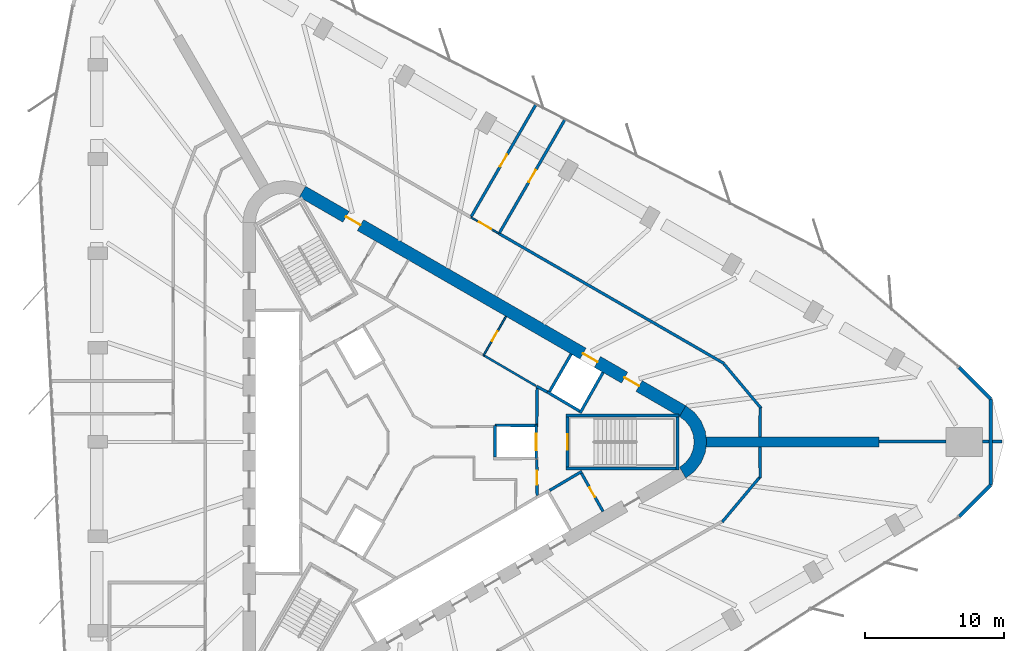
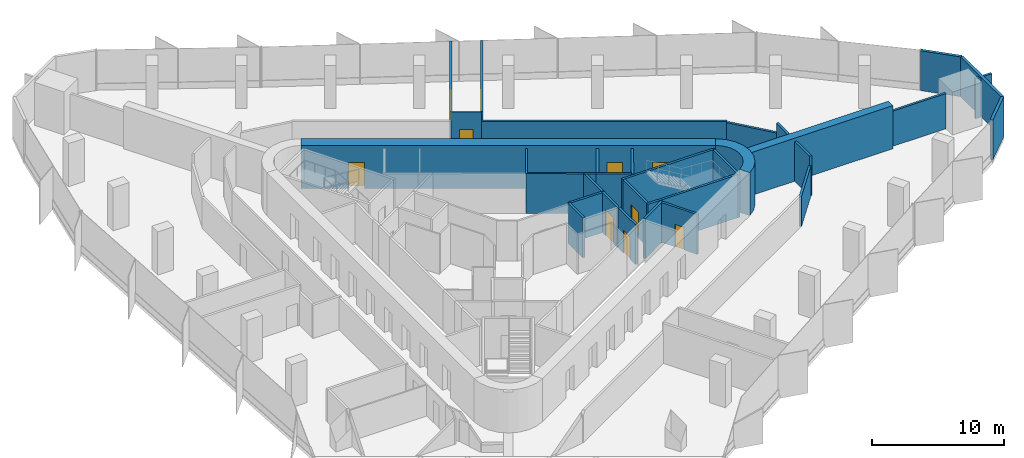
# One storey, part 11 of 13: 34 walls, 11 doors, 11 openings.
"""IFC4 building model written with IfcOpenShell, lengths in metres."""

from ifc_helpers import new_model, si_unit, direction, frame, frame_2d, origin, place, context, subcontext, project, spatial, polyline, rectangle, outline, extrude, material, layer, layer_set, type_object, element, fill, save


model = new_model("IFC4")

# Units and contexts
model_context = context("Model", 3, precision=1e-05, world=origin(), true_north=direction((0.0, 1.0)))
body_context = subcontext(model_context, "Body", "Model", "MODEL_VIEW")
ifc_project = project(units=[si_unit("LENGTHUNIT", "METRE"), si_unit("AREAUNIT", "SQUARE_METRE"), si_unit("VOLUMEUNIT", "CUBIC_METRE"), si_unit("PLANEANGLEUNIT", "RADIAN"), si_unit("MASSUNIT", "GRAM", prefix="KILO")], contexts=[model_context])

# Site, building, storey
site_placement = place(None, origin())
site = spatial("IfcSite", under=ifc_project, at=site_placement, CompositionType="ELEMENT")
building_placement = place(site_placement, origin())
building = spatial("IfcBuilding", under=site, at=building_placement, Name="Tanit Gate Tower", CompositionType="ELEMENT")
storey_placement = place(building_placement, frame((0.0, 0.0, 169.199951171875)))
storey = spatial("IfcBuildingStorey", under=building, at=storey_placement, Name="L36", CompositionType="ELEMENT", Elevation=169.199951171875)

# Wall
ifc_material_1 = material(Name="Concrete C50/60", Category="concrete")
ifc_layer_1 = layer(ifc_material_1, 0.699951171875)
ifc_layer_set_1 = layer_set([ifc_layer_1], Name="BUTTRESS FIN 700 C50/60")
wall_type_1 = type_object("IfcWallType", Name="BUTTRESS FIN 700 C50/60", PredefinedType="SHEAR", material=ifc_layer_set_1)
wall_1_placement = place(storey_placement, frame((21.14990234375, 0.0, 0.0), z_axis=(0.0, 0.0, 1.0), x_axis=(1.0, 0.0, 0.0)))
element("IfcWall", 1, at=wall_1_placement, inside=storey, type_object=wall_type_1, Name="BUTTRESS FIN", PredefinedType="SHEAR", context=body_context, shape_type="SweptSolid", body=[
    extrude(rectangle(XDim=12.4326171875, YDim=0.699951171875, at=frame_2d((6.21630859375, 0.0))), origin(), (0.0, 0.0, 1.0), 4.0),
])

# Wall, openings, doors
ifc_material_2 = material(Name="Concrete C50/60", Category="concrete")
ifc_layer_2 = layer(ifc_material_2, 0.89990234375)
ifc_layer_set_2 = layer_set([ifc_layer_2], Name="CORE WALL 900 C50/60")
wall_type_2 = type_object("IfcWallType", Name="CORE WALL 900 C50/60", PredefinedType="SHEAR", material=ifc_layer_set_2)
wall_2_placement = place(storey_placement, frame((19.47509765625, 2.20849609375, 0.0), z_axis=(0.0, 0.0, 1.0), x_axis=(-0.866028369851, 0.499994862586, 0.0)))
wall_2 = element("IfcWall", 2, at=wall_2_placement, inside=storey, type_object=wall_type_2, Name="CORE WALL", PredefinedType="SHEAR", context=body_context, shape_type="SweptSolid", body=[
    extrude(rectangle(XDim=31.523193359375, YDim=0.89990234375, at=frame_2d((15.76171875, 0.0))), origin(), (0.0, 0.0, 1.0), 4.0),
])
opening_1_placement = place(wall_2_placement, frame((7.0615234375, 0.0, 0.0)))
opening_1 = element("IfcOpeningElement", 3, at=opening_1_placement, cuts=wall_2, Name="Opening LDML8-S09", PredefinedType="OPENING", context=body_context, shape_type="SweptSolid", body=[
    extrude(rectangle(XDim=1.199951171875, YDim=2.39990234375, at=frame_2d((0.60009765625, 1.199951171875))), frame((0.0, 0.4599609375, 0.0), z_axis=(0.0, -1.0, 0.0), x_axis=(1.0, 0.0, 0.0)), (0.0, 0.0, 1.0), 0.919921875),
])
opening_2_placement = place(wall_2_placement, frame((3.611572265625, 0.0, 0.0)))
opening_2 = element("IfcOpeningElement", 4, at=opening_2_placement, cuts=wall_2, Name="Opening F12-S09-FL1", PredefinedType="OPENING", context=body_context, shape_type="SweptSolid", body=[
    extrude(rectangle(XDim=1.199951171875, YDim=2.39990234375, at=frame_2d((0.60009765625, 1.199951171875))), frame((0.0, 0.4599609375, 0.0), z_axis=(0.0, -1.0, 0.0), x_axis=(1.0, 0.0, 0.0)), (0.0, 0.0, 1.0), 0.919921875),
])
opening_3_placement = place(wall_2_placement, frame((26.711669921875, 0.0, 0.0)))
opening_3 = element("IfcOpeningElement", 5, at=opening_3_placement, cuts=wall_2, Name="Opening F12-S09-S2", PredefinedType="OPENING", context=body_context, shape_type="SweptSolid", body=[
    extrude(rectangle(XDim=1.199951171875, YDim=2.39990234375, at=frame_2d((0.60009765625, 1.199951171875))), frame((0.0, 0.4599609375, 0.0), z_axis=(0.0, -1.0, 0.0), x_axis=(1.0, 0.0, 0.0)), (0.0, 0.0, 1.0), 0.919921875),
])
ifc_material_3 = material(Name="Fire-rated steel door leaf", Category="steel")
door_type_1 = type_object("IfcDoorType", Name="INT-DOOR-FIRE-LOBBY-1200", OperationType="NOTDEFINED", PredefinedType="USERDEFINED", material=ifc_material_3)
door_1_placement = place(opening_2_placement, origin())
door_1 = element("IfcDoor", 6, at=door_1_placement, inside=storey, type_object=door_type_1, Name="Door F12-S09-FL1", ObjectType="FIRE DOOR", OperationType="SINGLE_SWING_LEFT", OverallHeight=2.39990234375, OverallWidth=1.199951171875, PredefinedType="USERDEFINED", context=body_context, shape_type="SweptSolid", body=[
    extrude(rectangle(XDim=1.199951171875, YDim=2.39990234375, at=frame_2d((0.60009765625, 1.199951171875))), frame((0.0, 0.02490234375, 0.0), z_axis=(0.0, -1.0, 0.0), x_axis=(1.0, 0.0, 0.0)), (0.0, 0.0, 1.0), 0.050048828125),
])
fill(opening_2, door_1)
door_2_placement = place(opening_3_placement, origin())
door_2 = element("IfcDoor", 7, at=door_2_placement, inside=storey, type_object=door_type_1, Name="Door F12-S09-S2", ObjectType="FIRE DOOR", OperationType="SINGLE_SWING_LEFT", OverallHeight=2.39990234375, OverallWidth=1.199951171875, PredefinedType="USERDEFINED", context=body_context, shape_type="SweptSolid", body=[
    extrude(rectangle(XDim=1.199951171875, YDim=2.39990234375, at=frame_2d((0.60009765625, 1.199951171875))), frame((0.0, 0.02490234375, 0.0), z_axis=(0.0, -1.0, 0.0), x_axis=(1.0, 0.0, 0.0)), (0.0, 0.0, 1.0), 0.050048828125),
])
fill(opening_3, door_2)
ifc_material_4 = material(Name="Stainless steel sliding door leaf", Category="steel")
door_type_2 = type_object("IfcDoorType", Name="INT-DOOR-LANDING-1200", OperationType="NOTDEFINED", PredefinedType="USERDEFINED", material=ifc_material_4)
door_3_placement = place(opening_1_placement, origin())
door_3 = element("IfcDoor", 8, at=door_3_placement, inside=storey, type_object=door_type_2, Name="Door LDML8-S09", ObjectType="LANDING DOOR", OperationType="SLIDING_TO_LEFT", OverallHeight=2.39990234375, OverallWidth=1.199951171875, PredefinedType="USERDEFINED", context=body_context, shape_type="SweptSolid", body=[
    extrude(rectangle(XDim=1.199951171875, YDim=2.39990234375, at=frame_2d((0.60009765625, 1.199951171875))), frame((0.0, 0.02490234375, 0.0), z_axis=(0.0, -1.0, 0.0), x_axis=(1.0, 0.0, 0.0)), (0.0, 0.0, 1.0), 0.050048828125),
])
fill(opening_1, door_3)

# Walls
wall_3_placement = place(storey_placement, origin())
element("IfcWall", 9, at=wall_3_placement, inside=storey, type_object=wall_type_2, Name="CORE WALL CORNER", PredefinedType="SHEAR", context=body_context, shape_type="SweptSolid", body=[
    extrude(outline(polyline([(19.699951171875, -2.59814453125), (20.3212890625, -2.121337890625), (20.798095703125, -1.5), (21.097900390625, -0.776611328125), (21.199951171875, 0.0), (21.097900390625, 0.776611328125), (20.798095703125, 1.5), (20.3212890625, 2.121337890625), (19.699951171875, 2.59814453125), (19.25, 1.818603515625), (19.684814453125, 1.48486328125), (20.018798828125, 1.050048828125), (20.228515625, 0.54345703125), (20.300048828125, 0.0), (20.228515625, -0.54345703125), (20.018798828125, -1.050048828125), (19.684814453125, -1.48486328125), (19.25, -1.818603515625), (19.699951171875, -2.59814453125)])), origin(), (0.0, 0.0, 1.0), 4.0),
])
ifc_material_5 = material(Name="Concrete C30/37 with bronze anodised aluminium cladding", Category="concrete")
ifc_layer_3 = layer(ifc_material_5, 0.239990234375)
ifc_layer_set_3 = layer_set([ifc_layer_3], Name="Facade wall bronze clad 240")
wall_type_3 = type_object("IfcWallType", Name="Facade wall bronze clad 240", PredefinedType="SOLIDWALL", material=ifc_layer_set_3)
wall_4_placement = place(storey_placement, frame((39.323486328125, -5.360595703125, 0.0), z_axis=(0.0, 0.0, 1.0), x_axis=(0.707106781187, 0.707106781187, 0.0)))
element("IfcWall", 10, at=wall_4_placement, inside=storey, type_object=wall_type_3, Name="Bronze-clad facade wall L36 E.arc1", PredefinedType="SOLIDWALL", context=body_context, shape_type="SweptSolid", body=[
    extrude(rectangle(XDim=3.21484375, YDim=0.239990234375, at=frame_2d((1.607421875, 0.0))), origin(), (0.0, 0.0, 1.0), 3.699951171875),
])
wall_5_placement = place(storey_placement, frame((41.5966796875, -3.08740234375, 0.0), z_axis=(0.0, 0.0, 1.0), x_axis=(0.0, 1.0, 0.0)))
element("IfcWall", 11, at=wall_5_placement, inside=storey, type_object=wall_type_3, Name="Bronze-clad facade wall L36 E.arc2", PredefinedType="SOLIDWALL", context=body_context, shape_type="SweptSolid", body=[
    extrude(rectangle(XDim=6.1748046875, YDim=0.239990234375, at=frame_2d((3.08740234375, 0.0))), origin(), (0.0, 0.0, 1.0), 3.699951171875),
])
wall_6_placement = place(storey_placement, frame((41.5966796875, 3.08740234375, 0.0), z_axis=(0.0, 0.0, 1.0), x_axis=(-0.70714464399, 0.707068916356, 0.0)))
element("IfcWall", 12, at=wall_6_placement, inside=storey, type_object=wall_type_3, Name="Bronze-clad facade wall L36 E.arc3", PredefinedType="SOLIDWALL", context=body_context, shape_type="SweptSolid", body=[
    extrude(rectangle(XDim=3.223876953125, YDim=0.239990234375, at=frame_2d((1.61181640625, 0.0))), origin(), (0.0, 0.0, 1.0), 3.699951171875),
])
ifc_material_6 = material(Name="Fire-rated gypsum board partition")
ifc_layer_4 = layer(ifc_material_6, 0.199951171875)
ifc_layer_set_4 = layer_set([ifc_layer_4], Name="INT-WALL-COMPARTMENT")
wall_type_4 = type_object("IfcWallType", Name="INT-WALL-COMPARTMENT", PredefinedType="PARTITIONING", material=ifc_layer_set_4)
wall_7_placement = place(storey_placement, frame((8.97412109375, 3.998779296875, 0.0), z_axis=(0.0, 0.0, 1.0), x_axis=(0.880917147855, -0.473270513147, 0.0)))
element("IfcWall", 13, at=wall_7_placement, inside=storey, type_object=wall_type_4, Name="Wall Compartment W050", PredefinedType="PARTITIONING", context=body_context, shape_type="SweptSolid", body=[
    extrude(rectangle(XDim=0.8779296875, YDim=0.199951171875, at=frame_2d((0.43896484375, 0.0))), origin(), (0.0, 0.0, 1.0), 3.699951171875),
])
wall_8_placement = place(storey_placement, frame((12.244873046875, -2.10888671875, 0.0), z_axis=(0.0, 0.0, 1.0), x_axis=(-0.860414880418, -0.509594185166, 0.0)))
element("IfcWall", 14, at=wall_8_placement, inside=storey, type_object=wall_type_4, Name="Wall Compartment W057", PredefinedType="PARTITIONING", context=body_context, shape_type="SweptSolid", body=[
    extrude(rectangle(XDim=2.7001953125, YDim=0.199951171875, at=frame_2d((1.35009765625, 0.0))), origin(), (0.0, 0.0, 1.0), 3.699951171875),
])

# Wall, opening, door
wall_9_placement = place(storey_placement, frame((13.758056640625, -4.989501953125, 0.0), z_axis=(0.0, 0.0, 1.0), x_axis=(-0.491993409184, 0.87059892334, 0.0)))
wall_9 = element("IfcWall", 15, at=wall_9_placement, inside=storey, type_object=wall_type_4, Name="Wall Compartment W058", PredefinedType="PARTITIONING", context=body_context, shape_type="SweptSolid", body=[
    extrude(rectangle(XDim=3.150146484375, YDim=0.199951171875, at=frame_2d((1.5751953125, 0.0))), origin(), (0.0, 0.0, 1.0), 3.699951171875),
])
opening_4_placement = place(wall_9_placement, frame((1.175048828125, 0.0, 0.0)))
opening_4 = element("IfcOpeningElement", 16, at=opening_4_placement, cuts=wall_9, Name="Opening R08-S09-15", PredefinedType="OPENING", context=body_context, shape_type="SweptSolid", body=[
    extrude(rectangle(XDim=0.800048828125, YDim=2.10009765625, at=frame_2d((0.39990234375, 1.050048828125))), frame((0.0, 0.10986328125, 0.0), z_axis=(0.0, -1.0, 0.0), x_axis=(1.0, 0.0, 0.0)), (0.0, 0.0, 1.0), 0.219970703125),
])
ifc_material_7 = material(Name="Timber door leaf", Category="wood")
door_type_3 = type_object("IfcDoorType", Name="INT-DOOR-RISER-800", OperationType="NOTDEFINED", PredefinedType="USERDEFINED", material=ifc_material_7)
door_4_placement = place(opening_4_placement, origin())
door_4 = element("IfcDoor", 17, at=door_4_placement, inside=storey, type_object=door_type_3, Name="Door R08-S09-15", ObjectType="FIRE DOOR", OperationType="SINGLE_SWING_LEFT", OverallHeight=2.10009765625, OverallWidth=0.800048828125, PredefinedType="USERDEFINED", context=body_context, shape_type="SweptSolid", body=[
    extrude(rectangle(XDim=0.800048828125, YDim=2.10009765625, at=frame_2d((0.39990234375, 1.050048828125))), frame((0.0, 0.02490234375, 0.0), z_axis=(0.0, -1.0, 0.0), x_axis=(1.0, 0.0, 0.0)), (0.0, 0.0, 1.0), 0.050048828125),
])
fill(opening_4, door_4)

# Wall
wall_10_placement = place(storey_placement, frame((9.0009765625, 1.27001953125, 0.0), z_axis=(0.0, 0.0, 1.0), x_axis=(0.01074821465, 0.999942236273, 0.0)))
element("IfcWall", 18, at=wall_10_placement, inside=storey, type_object=wall_type_4, Name="Wall Compartment W059", PredefinedType="PARTITIONING", context=body_context, shape_type="SweptSolid", body=[
    extrude(rectangle(XDim=2.725830078125, YDim=0.199951171875, at=frame_2d((1.36279296875, 0.0))), origin(), (0.0, 0.0, 1.0), 3.699951171875),
])

# Wall, opening, door
wall_11_placement = place(storey_placement, frame((9.02880859375, -3.850830078125, 0.0), z_axis=(0.0, 0.0, 1.0), x_axis=(-0.010783593937, 0.99994185536, 0.0)))
wall_11 = element("IfcWall", 19, at=wall_11_placement, inside=storey, type_object=wall_type_4, Name="Wall Compartment W060", PredefinedType="PARTITIONING", context=body_context, shape_type="SweptSolid", body=[
    extrude(rectangle(XDim=2.5810546875, YDim=0.199951171875, at=frame_2d((1.29052734375, 0.0))), origin(), (0.0, 0.0, 1.0), 3.699951171875),
])
opening_5_placement = place(wall_11_placement, frame((0.79052734375, 0.0, 0.0)))
opening_5 = element("IfcOpeningElement", 20, at=opening_5_placement, cuts=wall_11, Name="Opening F10-S09-02", PredefinedType="OPENING", context=body_context, shape_type="SweptSolid", body=[
    extrude(rectangle(XDim=1.0, YDim=2.10009765625, at=frame_2d((0.5, 1.050048828125))), frame((0.0, 0.10986328125, 0.0), z_axis=(0.0, -1.0, 0.0), x_axis=(1.0, 0.0, 0.0)), (0.0, 0.0, 1.0), 0.219970703125),
])
ifc_material_8 = material(Name="Fire-rated steel door leaf", Category="steel")
door_type_4 = type_object("IfcDoorType", Name="INT-DOOR-FIRE-1000", OperationType="NOTDEFINED", PredefinedType="USERDEFINED", material=ifc_material_8)
door_5_placement = place(opening_5_placement, origin())
door_5 = element("IfcDoor", 21, at=door_5_placement, inside=storey, type_object=door_type_4, Name="Door F10-S09-02", ObjectType="FIRE DOOR", OperationType="SINGLE_SWING_LEFT", OverallHeight=2.10009765625, OverallWidth=1.0, PredefinedType="USERDEFINED", context=body_context, shape_type="SweptSolid", body=[
    extrude(rectangle(XDim=1.0, YDim=2.10009765625, at=frame_2d((0.5, 1.050048828125))), frame((0.0, 0.02490234375, 0.0), z_axis=(0.0, -1.0, 0.0), x_axis=(1.0, 0.0, 0.0)), (0.0, 0.0, 1.0), 0.050048828125),
])
fill(opening_5, door_5)

# Walls
wall_12_placement = place(storey_placement, frame((22.466064453125, 5.619873046875, 0.0), z_axis=(0.0, 0.0, 1.0), x_axis=(-0.866024667879, 0.500001274624, 0.0)))
element("IfcWall", 22, at=wall_12_placement, inside=storey, type_object=wall_type_4, Name="Wall Compartment W101", PredefinedType="PARTITIONING", context=body_context, shape_type="SweptSolid", body=[
    extrude(rectangle(XDim=18.6962890625, YDim=0.199951171875, at=frame_2d((9.34814453125, 0.0))), origin(), (0.0, 0.0, 1.0), 2.880126953125),
])
wall_13_placement = place(storey_placement, frame((25.12109375, 2.40283203125, 0.0), z_axis=(0.0, 0.0, 1.0), x_axis=(-0.642809831665, 0.766025796116, 0.0)))
element("IfcWall", 23, at=wall_13_placement, inside=storey, type_object=wall_type_4, Name="Wall Compartment W102", PredefinedType="PARTITIONING", context=body_context, shape_type="SweptSolid", body=[
    extrude(rectangle(XDim=4.164794921875, YDim=0.199951171875, at=frame_2d((2.08251953125, 0.0))), origin(), (0.0, 0.0, 1.0), 2.780029296875),
])
wall_14_placement = place(storey_placement, frame((25.0205078125, 0.35009765625, 0.0), z_axis=(0.0, 0.0, 1.0), x_axis=(0.012014998271, 0.999927817303, 0.0)))
element("IfcWall", 24, at=wall_14_placement, inside=storey, type_object=wall_type_4, Name="Wall Compartment W103", PredefinedType="PARTITIONING", context=body_context, shape_type="SweptSolid", body=[
    extrude(rectangle(XDim=2.093017578125, YDim=0.199951171875, at=frame_2d((1.04638671875, 0.0))), origin(), (0.0, 0.0, 1.0), 3.699951171875),
])
wall_15_placement = place(storey_placement, frame((25.047607421875, -2.608154296875, 0.0), z_axis=(0.0, 0.0, 1.0), x_axis=(-0.012000433251, 0.999927992208, 0.0)))
element("IfcWall", 25, at=wall_15_placement, inside=storey, type_object=wall_type_4, Name="Wall Compartment W105", PredefinedType="PARTITIONING", context=body_context, shape_type="SweptSolid", body=[
    extrude(rectangle(XDim=2.25830078125, YDim=0.199951171875, at=frame_2d((1.129150390625, 0.0))), origin(), (0.0, 0.0, 1.0), 3.699951171875),
])
wall_16_placement = place(storey_placement, frame((22.315185546875, -5.746337890625, 0.0), z_axis=(0.0, 0.0, 1.0), x_axis=(0.642828004621, 0.76601054593, 0.0)))
element("IfcWall", 26, at=wall_16_placement, inside=storey, type_object=wall_type_4, Name="Wall Compartment W106", PredefinedType="PARTITIONING", context=body_context, shape_type="SweptSolid", body=[
    extrude(rectangle(XDim=4.19970703125, YDim=0.199951171875, at=frame_2d((2.099853515625, 0.0))), origin(), (0.0, 0.0, 1.0), 2.780029296875),
])

# Wall, opening, door
wall_17_placement = place(storey_placement, frame((8.941162109375, 24.2265625, 0.0), z_axis=(0.0, 0.0, 1.0), x_axis=(-0.500002216581, -0.866024124037, 0.0)))
wall_17 = element("IfcWall", 27, at=wall_17_placement, inside=storey, type_object=wall_type_4, Name="Wall Compartment W123", PredefinedType="PARTITIONING", context=body_context, shape_type="SweptSolid", body=[
    extrude(rectangle(XDim=9.29150390625, YDim=0.199951171875, at=frame_2d((4.645751953125, 0.0))), origin(), (0.0, 0.0, 1.0), 3.699951171875),
])
opening_6_placement = place(wall_17_placement, frame((4.145751953125, 0.0, 0.0)))
opening_6 = element("IfcOpeningElement", 28, at=opening_6_placement, cuts=wall_17, Name="Opening F10-S09-26", PredefinedType="OPENING", context=body_context, shape_type="SweptSolid", body=[
    extrude(rectangle(XDim=1.0, YDim=2.10009765625, at=frame_2d((0.5, 1.050048828125))), frame((0.0, 0.10986328125, 0.0), z_axis=(0.0, -1.0, 0.0), x_axis=(1.0, 0.0, 0.0)), (0.0, 0.0, 1.0), 0.219970703125),
])
door_6_placement = place(opening_6_placement, origin())
door_6 = element("IfcDoor", 29, at=door_6_placement, inside=storey, type_object=door_type_4, Name="Door F10-S09-26", ObjectType="FIRE DOOR", OperationType="SINGLE_SWING_LEFT", OverallHeight=2.10009765625, OverallWidth=1.0, PredefinedType="USERDEFINED", context=body_context, shape_type="SweptSolid", body=[
    extrude(rectangle(XDim=1.0, YDim=2.10009765625, at=frame_2d((0.5, 1.050048828125))), frame((0.0, 0.02490234375, 0.0), z_axis=(0.0, -1.0, 0.0), x_axis=(1.0, 0.0, 0.0)), (0.0, 0.0, 1.0), 0.050048828125),
])
fill(opening_6, door_6)

wall_18_placement = place(storey_placement, frame((6.322021484375, 15.010009765625, 0.0), z_axis=(0.0, 0.0, 1.0), x_axis=(0.500005339912, 0.866022320763, 0.0)))
wall_18 = element("IfcWall", 30, at=wall_18_placement, inside=storey, type_object=wall_type_4, Name="Wall Compartment W124", PredefinedType="PARTITIONING", context=body_context, shape_type="SweptSolid", body=[
    extrude(rectangle(XDim=9.4130859375, YDim=0.199951171875, at=frame_2d((4.70654296875, 0.0))), origin(), (0.0, 0.0, 1.0), 3.699951171875),
])
opening_7_placement = place(wall_18_placement, frame((4.20654296875, 0.0, 0.0)))
opening_7 = element("IfcOpeningElement", 31, at=opening_7_placement, cuts=wall_18, Name="Opening F10-S09-27", PredefinedType="OPENING", context=body_context, shape_type="SweptSolid", body=[
    extrude(rectangle(XDim=1.0, YDim=2.10009765625, at=frame_2d((0.5, 1.050048828125))), frame((0.0, 0.10986328125, 0.0), z_axis=(0.0, -1.0, 0.0), x_axis=(1.0, 0.0, 0.0)), (0.0, 0.0, 1.0), 0.219970703125),
])
door_7_placement = place(opening_7_placement, origin())
door_7 = element("IfcDoor", 32, at=door_7_placement, inside=storey, type_object=door_type_4, Name="Door F10-S09-27", ObjectType="FIRE DOOR", OperationType="SINGLE_SWING_RIGHT", OverallHeight=2.10009765625, OverallWidth=1.0, PredefinedType="USERDEFINED", context=body_context, shape_type="SweptSolid", body=[
    extrude(rectangle(XDim=1.0, YDim=2.10009765625, at=frame_2d((0.5, 1.050048828125))), frame((0.0, 0.02490234375, 0.0), z_axis=(0.0, -1.0, 0.0), x_axis=(1.0, 0.0, 0.0)), (0.0, 0.0, 1.0), 0.050048828125),
])
fill(opening_7, door_7)

# Walls
wall_19_placement = place(storey_placement, frame((33.58251953125, 0.030029296875, 0.0), z_axis=(0.0, 0.0, 1.0), x_axis=(1.0, 0.0, 0.0)))
element("IfcWall", 33, at=wall_19_placement, inside=storey, type_object=wall_type_4, Name="Wall Compartment W125", PredefinedType="PARTITIONING", context=body_context, shape_type="SweptSolid", body=[
    extrude(rectangle(XDim=4.815673828125, YDim=0.199951171875, at=frame_2d((2.40771484375, 0.0))), origin(), (0.0, 0.0, 1.0), 3.27001953125),
])
wall_20_placement = place(storey_placement, frame((40.998046875, 0.030029296875, 0.0), z_axis=(0.0, 0.0, 1.0), x_axis=(1.0, 0.0, 0.0)))
element("IfcWall", 34, at=wall_20_placement, inside=storey, type_object=wall_type_4, Name="Wall Compartment W126", PredefinedType="PARTITIONING", context=body_context, shape_type="SweptSolid", body=[
    extrude(rectangle(XDim=0.478515625, YDim=0.199951171875, at=frame_2d((0.2392578125, 0.0))), origin(), (0.0, 0.0, 1.0), 3.699951171875),
])
wall_21_placement = place(storey_placement, frame((41.716552734375, 0.030029296875, 0.0), z_axis=(0.0, 0.0, 1.0), x_axis=(1.0, 0.0, 0.0)))
element("IfcWall", 35, at=wall_21_placement, inside=storey, type_object=wall_type_4, Name="Wall Compartment W126x1", PredefinedType="PARTITIONING", context=body_context, shape_type="SweptSolid", body=[
    extrude(rectangle(XDim=0.69921875, YDim=0.199951171875, at=frame_2d((0.349609375, 0.0))), origin(), (0.0, 0.0, 1.0), 3.699951171875),
])

# Wall, opening, door
ifc_material_9 = material(Name="Gypsum board partition")
ifc_layer_5 = layer(ifc_material_9, 0.1201171875)
ifc_layer_set_5 = layer_set([ifc_layer_5], Name="INT-WALL-PARTITION")
wall_type_5 = type_object("IfcWallType", Name="INT-WALL-PARTITION", PredefinedType="PARTITIONING", material=ifc_layer_set_5)
wall_22_placement = place(storey_placement, frame((5.170166015625, 6.19482421875, 0.0), z_axis=(0.0, 0.0, 1.0), x_axis=(0.499984717929, 0.866034226713, 0.0)))
wall_22 = element("IfcWall", 36, at=wall_22_placement, inside=storey, type_object=wall_type_5, Name="Wall Partition W049", PredefinedType="PARTITIONING", context=body_context, shape_type="SweptSolid", body=[
    extrude(rectangle(XDim=3.25, YDim=0.1201171875, at=frame_2d((1.625, 0.0))), origin(), (0.0, 0.0, 1.0), 3.699951171875),
])
opening_8_placement = place(wall_22_placement, frame((1.22509765625, 0.0, 0.0)))
opening_8 = element("IfcOpeningElement", 37, at=opening_8_placement, cuts=wall_22, Name="Opening R08-S09-13", PredefinedType="OPENING", context=body_context, shape_type="SweptSolid", body=[
    extrude(rectangle(XDim=0.800048828125, YDim=2.10009765625, at=frame_2d((0.39990234375, 1.050048828125))), frame((0.0, 0.070068359375, 0.0), z_axis=(0.0, -1.0, 0.0), x_axis=(1.0, 0.0, 0.0)), (0.0, 0.0, 1.0), 0.14013671875),
])
door_8_placement = place(opening_8_placement, origin())
door_8 = element("IfcDoor", 38, at=door_8_placement, inside=storey, type_object=door_type_3, Name="Door R08-S09-13", ObjectType="FIRE DOOR", OperationType="SINGLE_SWING_LEFT", OverallHeight=2.10009765625, OverallWidth=0.800048828125, PredefinedType="USERDEFINED", context=body_context, shape_type="SweptSolid", body=[
    extrude(rectangle(XDim=0.800048828125, YDim=2.10009765625, at=frame_2d((0.39990234375, 1.050048828125))), frame((0.0, 0.02490234375, 0.0), z_axis=(0.0, -1.0, 0.0), x_axis=(1.0, 0.0, 0.0)), (0.0, 0.0, 1.0), 0.050048828125),
])
fill(opening_8, door_8)

wall_23_placement = place(storey_placement, frame((6.274658203125, 14.968017578125, 0.0), z_axis=(0.0, 0.0, 1.0), x_axis=(-0.866053019151, 0.499952165731, 0.0)))
wall_23 = element("IfcWall", 39, at=wall_23_placement, inside=storey, type_object=wall_type_5, Name="Wall Partition W097", PredefinedType="PARTITIONING", context=body_context, shape_type="SweptSolid", body=[
    extrude(rectangle(XDim=2.300048828125, YDim=0.1201171875, at=frame_2d((1.14990234375, 0.0))), origin(), (0.0, 0.0, 1.0), 3.699951171875),
])
opening_9_placement = place(wall_23_placement, frame((0.64990234375, 0.0, 0.0)))
opening_9 = element("IfcOpeningElement", 40, at=opening_9_placement, cuts=wall_23, Name="Opening D10-S09-18", PredefinedType="OPENING", context=body_context, shape_type="SweptSolid", body=[
    extrude(rectangle(XDim=1.0, YDim=2.10009765625, at=frame_2d((0.5, 1.050048828125))), frame((0.0, 0.070068359375, 0.0), z_axis=(0.0, -1.0, 0.0), x_axis=(1.0, 0.0, 0.0)), (0.0, 0.0, 1.0), 0.14013671875),
])
ifc_material_10 = material(Name="Timber door leaf", Category="wood")
door_type_5 = type_object("IfcDoorType", Name="INT-DOOR-SINGLE-1000", OperationType="NOTDEFINED", PredefinedType="NOTDEFINED", material=ifc_material_10)
door_9_placement = place(opening_9_placement, origin())
door_9 = element("IfcDoor", 41, at=door_9_placement, inside=storey, type_object=door_type_5, Name="Door D10-S09-18", OperationType="SINGLE_SWING_RIGHT", OverallHeight=2.10009765625, OverallWidth=1.0, PredefinedType="NOTDEFINED", context=body_context, shape_type="SweptSolid", body=[
    extrude(rectangle(XDim=1.0, YDim=2.10009765625, at=frame_2d((0.5, 1.050048828125))), frame((0.0, 0.02490234375, 0.0), z_axis=(0.0, -1.0, 0.0), x_axis=(1.0, 0.0, 0.0)), (0.0, 0.0, 1.0), 0.050048828125),
])
fill(opening_9, door_9)

# Walls
ifc_material_11 = material(Name="Fire-rated gypsum board partition")
ifc_layer_6 = layer(ifc_material_11, 0.14990234375)
ifc_layer_set_6 = layer_set([ifc_layer_6], Name="INT-WALL-RISER")
wall_type_6 = type_object("IfcWallType", Name="INT-WALL-RISER", PredefinedType="PLUMBINGWALL", material=ifc_layer_set_6)
wall_24_placement = place(storey_placement, frame((8.9306640625, 4.024658203125, 0.0), z_axis=(0.0, 0.0, 1.0), x_axis=(-0.862666884027, 0.505772525157, 0.0)))
element("IfcWall", 42, at=wall_24_placement, inside=storey, type_object=wall_type_6, Name="Wall Riser W051", PredefinedType="PLUMBINGWALL", context=body_context, shape_type="SweptSolid", body=[
    extrude(rectangle(XDim=4.371826171875, YDim=0.14990234375, at=frame_2d((2.18603515625, 0.0))), origin(), (0.0, 0.0, 1.0), 3.699951171875),
])
ifc_material_12 = material(Name="Gypsum shaft wall system")
ifc_layer_7 = layer(ifc_material_12, 0.199951171875)
ifc_layer_set_7 = layer_set([ifc_layer_7], Name="INT-WALL-SHAFT")
wall_type_7 = type_object("IfcWallType", Name="INT-WALL-SHAFT", PredefinedType="PLUMBINGWALL", material=ifc_layer_set_7)
wall_25_placement = place(storey_placement, frame((9.8466796875, 3.494873046875, 0.0), z_axis=(0.0, 0.0, 1.0), x_axis=(0.499984717929, 0.866034226713, 0.0)))
element("IfcWall", 43, at=wall_25_placement, inside=storey, type_object=wall_type_7, Name="Wall Shaft W012", PredefinedType="PLUMBINGWALL", context=body_context, shape_type="SweptSolid", body=[
    extrude(rectangle(XDim=3.25, YDim=0.199951171875, at=frame_2d((1.625, 0.0))), origin(), (0.0, 0.0, 1.0), 3.699951171875),
])
wall_26_placement = place(storey_placement, frame((12.10986328125, 2.07275390625, 0.0), z_axis=(0.0, 0.0, 1.0), x_axis=(0.49196600604, 0.870614408852, 0.0)))
element("IfcWall", 44, at=wall_26_placement, inside=storey, type_object=wall_type_7, Name="Wall Shaft W013", PredefinedType="PLUMBINGWALL", context=body_context, shape_type="SweptSolid", body=[
    extrude(rectangle(XDim=3.35009765625, YDim=0.199951171875, at=frame_2d((1.675048828125, 0.0))), origin(), (0.0, 0.0, 1.0), 3.699951171875),
])
wall_27_placement = place(storey_placement, frame((12.072998046875, 2.2109375, 0.0), z_axis=(0.0, 0.0, 1.0), x_axis=(-0.860414880418, 0.509594185166, 0.0)))
element("IfcWall", 45, at=wall_27_placement, inside=storey, type_object=wall_type_7, Name="Wall Shaft W014", PredefinedType="PLUMBINGWALL", context=body_context, shape_type="SweptSolid", body=[
    extrude(rectangle(XDim=2.7001953125, YDim=0.199951171875, at=frame_2d((1.35009765625, 0.0))), origin(), (0.0, 0.0, 1.0), 3.699951171875),
])

# Wall, opening, door
wall_28_placement = place(storey_placement, frame((8.969970703125, 1.199951171875, 0.0), z_axis=(0.0, 0.0, 1.0), x_axis=(0.0, -1.0, 0.0)))
wall_28 = element("IfcWall", 46, at=wall_28_placement, inside=storey, type_object=wall_type_7, Name="Wall Shaft W029", PredefinedType="PLUMBINGWALL", context=body_context, shape_type="SweptSolid", body=[
    extrude(rectangle(XDim=2.39990234375, YDim=0.199951171875, at=frame_2d((1.199951171875, 0.0))), origin(), (0.0, 0.0, 1.0), 3.699951171875),
])
opening_10_placement = place(wall_28_placement, frame((0.60009765625, 0.0, 0.0)))
opening_10 = element("IfcOpeningElement", 47, at=opening_10_placement, cuts=wall_28, Name="Opening LDFL1-L36", PredefinedType="OPENING", context=body_context, shape_type="SweptSolid", body=[
    extrude(rectangle(XDim=1.199951171875, YDim=2.39990234375, at=frame_2d((0.60009765625, 1.199951171875))), frame((0.0, 0.10986328125, 0.0), z_axis=(0.0, -1.0, 0.0), x_axis=(1.0, 0.0, 0.0)), (0.0, 0.0, 1.0), 0.219970703125),
])
door_10_placement = place(opening_10_placement, origin())
door_10 = element("IfcDoor", 48, at=door_10_placement, inside=storey, type_object=door_type_2, Name="Door LDFL1-L36", ObjectType="LANDING DOOR", OperationType="SLIDING_TO_LEFT", OverallHeight=2.39990234375, OverallWidth=1.199951171875, PredefinedType="USERDEFINED", context=body_context, shape_type="SweptSolid", body=[
    extrude(rectangle(XDim=1.199951171875, YDim=2.39990234375, at=frame_2d((0.60009765625, 1.199951171875))), frame((0.0, 0.02490234375, 0.0), z_axis=(0.0, -1.0, 0.0), x_axis=(1.0, 0.0, 0.0)), (0.0, 0.0, 1.0), 0.050048828125),
])
fill(opening_10, door_10)

# Walls
wall_29_placement = place(storey_placement, frame((6.0, 1.199951171875, 0.0), z_axis=(0.0, 0.0, 1.0), x_axis=(0.999949988, -0.010001074852, 0.0)))
element("IfcWall", 49, at=wall_29_placement, inside=storey, type_object=wall_type_7, Name="Wall Shaft W030", PredefinedType="PLUMBINGWALL", context=body_context, shape_type="SweptSolid", body=[
    extrude(rectangle(XDim=3.100341796875, YDim=0.199951171875, at=frame_2d((1.55029296875, 0.0))), origin(), (0.0, 0.0, 1.0), 3.699951171875),
])
wall_30_placement = place(storey_placement, frame((6.0, -1.10009765625, 0.0), z_axis=(0.0, 0.0, 1.0), x_axis=(0.0, 1.0, 0.0)))
element("IfcWall", 50, at=wall_30_placement, inside=storey, type_object=wall_type_7, Name="Wall Shaft W032", PredefinedType="PLUMBINGWALL", context=body_context, shape_type="SweptSolid", body=[
    extrude(rectangle(XDim=2.279541015625, YDim=0.199951171875, at=frame_2d((1.1396484375, 0.0))), origin(), (0.0, 0.0, 1.0), 3.699951171875),
])
ifc_material_13 = material(Name="Concrete C40/50", Category="concrete")
ifc_layer_8 = layer(ifc_material_13, 0.199951171875)
ifc_layer_set_8 = layer_set([ifc_layer_8], Name="INT-WALL-STAIR")
wall_type_8 = type_object("IfcWallType", Name="INT-WALL-STAIR", PredefinedType="SHEAR", material=ifc_layer_set_8)
wall_31_placement = place(storey_placement, frame((19.199951171875, 1.89990234375, -0.300048828125), z_axis=(0.0, 0.0, 1.0), x_axis=(-1.0, 0.0, 0.0)))
element("IfcWall", 51, at=wall_31_placement, inside=storey, type_object=wall_type_8, Name="Wall Stair W025", PredefinedType="SHEAR", context=body_context, shape_type="SweptSolid", body=[
    extrude(rectangle(XDim=8.099853515625, YDim=0.199951171875, at=frame_2d((4.0498046875, 0.0))), origin(), (0.0, 0.0, 1.0), 4.0),
])
wall_32_placement = place(storey_placement, frame((19.10009765625, -2.0, -0.300048828125), z_axis=(0.0, 0.0, 1.0), x_axis=(0.0, 1.0, 0.0)))
element("IfcWall", 52, at=wall_32_placement, inside=storey, type_object=wall_type_8, Name="Wall Stair W026", PredefinedType="SHEAR", context=body_context, shape_type="SweptSolid", body=[
    extrude(rectangle(XDim=3.800048828125, YDim=0.199951171875, at=frame_2d((1.89990234375, 0.0))), origin(), (0.0, 0.0, 1.0), 4.0),
])
wall_33_placement = place(storey_placement, frame((11.10009765625, -1.89990234375, -0.300048828125), z_axis=(0.0, 0.0, 1.0), x_axis=(1.0, 0.0, 0.0)))
element("IfcWall", 53, at=wall_33_placement, inside=storey, type_object=wall_type_8, Name="Wall Stair W027", PredefinedType="SHEAR", context=body_context, shape_type="SweptSolid", body=[
    extrude(rectangle(XDim=7.89990234375, YDim=0.199951171875, at=frame_2d((3.949951171875, 0.0))), origin(), (0.0, 0.0, 1.0), 4.0),
])

# Wall, opening, door
wall_34_placement = place(storey_placement, frame((11.199951171875, -1.800048828125, -0.300048828125), z_axis=(0.0, 0.0, 1.0), x_axis=(0.0, 1.0, 0.0)))
wall_34 = element("IfcWall", 54, at=wall_34_placement, inside=storey, type_object=wall_type_8, Name="Wall Stair W028", PredefinedType="SHEAR", context=body_context, shape_type="SweptSolid", body=[
    extrude(rectangle(XDim=3.60009765625, YDim=0.199951171875, at=frame_2d((1.800048828125, 0.0))), origin(), (0.0, 0.0, 1.0), 4.0),
])
opening_11_placement = place(wall_34_placement, frame((1.25, 0.0, 0.300048828125)))
opening_11 = element("IfcOpeningElement", 55, at=opening_11_placement, cuts=wall_34, Name="Opening S11-S09-01", PredefinedType="OPENING", context=body_context, shape_type="SweptSolid", body=[
    extrude(rectangle(XDim=1.10009765625, YDim=2.10009765625, at=frame_2d((0.550048828125, 1.050048828125))), frame((0.0, 0.10986328125, 0.0), z_axis=(0.0, -1.0, 0.0), x_axis=(1.0, 0.0, 0.0)), (0.0, 0.0, 1.0), 0.219970703125),
])
ifc_material_14 = material(Name="Timber door leaf", Category="wood")
door_type_6 = type_object("IfcDoorType", Name="INT-DOOR-STAIR-1100", OperationType="NOTDEFINED", PredefinedType="USERDEFINED", material=ifc_material_14)
door_11_placement = place(opening_11_placement, origin())
door_11 = element("IfcDoor", 56, at=door_11_placement, inside=storey, type_object=door_type_6, Name="Door S11-S09-01", ObjectType="FIRE DOOR", OperationType="SINGLE_SWING_LEFT", OverallHeight=2.10009765625, OverallWidth=1.10009765625, PredefinedType="USERDEFINED", context=body_context, shape_type="SweptSolid", body=[
    extrude(rectangle(XDim=1.10009765625, YDim=2.10009765625, at=frame_2d((0.550048828125, 1.050048828125))), frame((0.0, 0.02490234375, 0.0), z_axis=(0.0, -1.0, 0.0), x_axis=(1.0, 0.0, 0.0)), (0.0, 0.0, 1.0), 0.050048828125),
])
fill(opening_11, door_11)

save(model, "model.ifc")
